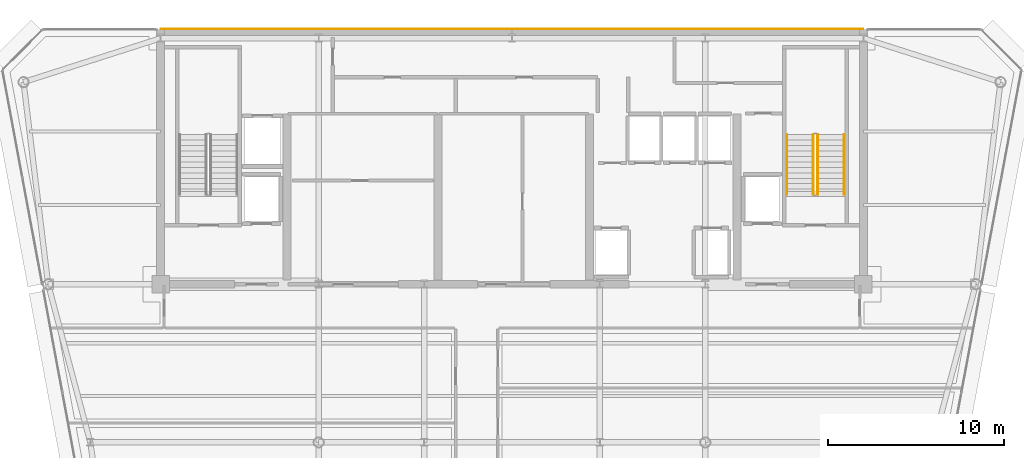
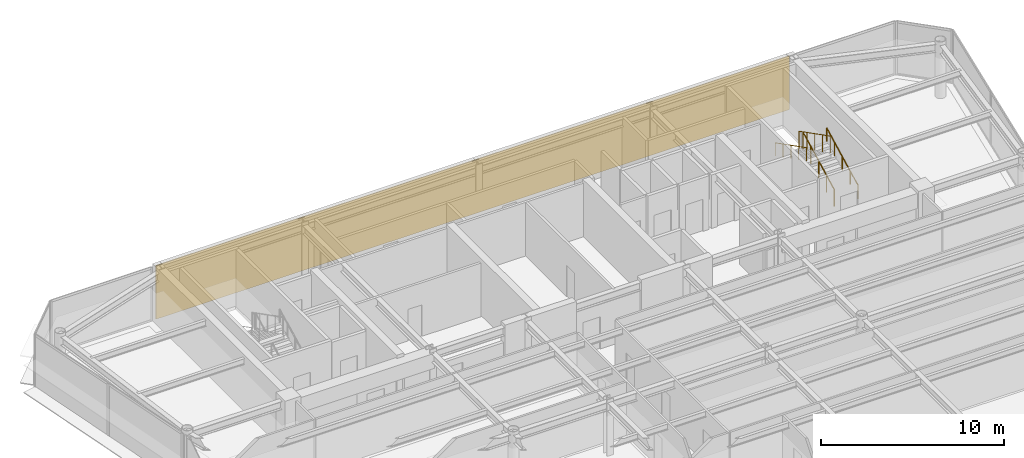
# One storey, part 17 of 18: 4 railings, 1 covering.
"""IFC4 building model written with IfcOpenShell, lengths in metres."""

import ifcopenshell
import ifcopenshell.guid

model = None  # the IFC model being written
_history = None  # IfcOwnerHistory: only IFC2X3 demands one
_inside = {}  # id of a spatial element -> (the spatial element, [elements in it])
_under = {}  # id of a project, library or spatial element -> (it, [spatial elements below it])
_declared = {}  # id of a project -> (the project, [libraries it declares])
_typed = {}  # id of a type object -> (the type object, [elements of that type])
_made_of = {}  # id of a material, layer set ... -> (it, [elements and type objects made of it])


def new_model(schema):
    """Start an empty IFC model of exactly this schema.

    Asked for "IFC4X3", IfcOpenShell would pick the latest addendum, in which some entities
    have other attributes; the version numbers below select the first issue.
    IFC2X3 requires an IfcOwnerHistory on every rooted entity: one is made here for all.
    """
    global model, _history
    if schema == "IFC4X3":
        model = ifcopenshell.file(schema_version=(4, 3, 0, 0))
    else:
        model = ifcopenshell.file(schema=schema)
    _inside.clear()
    _under.clear()
    _declared.clear()
    _typed.clear()
    _made_of.clear()
    _history = None
    if model.schema == "IFC2X3":
        org = make("IfcOrganization", Name="unknown")
        user = make(
            "IfcPersonAndOrganization",
            ThePerson=make("IfcPerson", FamilyName="unknown"),
            TheOrganization=org,
        )
        app = make(
            "IfcApplication",
            ApplicationDeveloper=org,
            Version="unknown",
            ApplicationFullName="unknown",
            ApplicationIdentifier="unknown",
        )
        _history = make(
            "IfcOwnerHistory",
            OwningUser=user,
            OwningApplication=app,
            ChangeAction="ADDED",
            CreationDate=0,
        )
    return model


def make(cls, **values):
    """One entity of the class cls with the attributes given. An attribute that is None is left unset."""
    return model.create_entity(
        cls, **{name: value for name, value in values.items() if value is not None}
    )


def rooted(cls, **values):
    """An entity with a GlobalId (a new one), such as an element, a storey or a relation."""
    return make(cls, GlobalId=ifcopenshell.guid.new(), OwnerHistory=_history, **values)


def si_unit(unit_type, name, prefix=None):
    """IfcSIUnit, for example si_unit("LENGTHUNIT", "METRE", prefix="MILLI")."""
    return make("IfcSIUnit", UnitType=unit_type, Prefix=prefix, Name=name)


def assignment(units):
    """IfcUnitAssignment: the units of a project."""
    return None if units is None else make("IfcUnitAssignment", Units=units)


def point(xyz):
    """IfcCartesianPoint."""
    return None if xyz is None else make("IfcCartesianPoint", Coordinates=xyz)


def direction(xyz):
    """IfcDirection."""
    return None if xyz is None else make("IfcDirection", DirectionRatios=xyz)


def frame(location, z_axis=None, x_axis=None):
    """IfcAxis2Placement3D, a coordinate frame: its origin and axes. An axis left out is left unset."""
    return make(
        "IfcAxis2Placement3D",
        Location=point(location),
        Axis=direction(z_axis),
        RefDirection=direction(x_axis),
    )


def frame_2d(location, x_axis=None):
    """IfcAxis2Placement2D, a coordinate frame in the plane: its origin and x axis."""
    return make(
        "IfcAxis2Placement2D", Location=point(location), RefDirection=direction(x_axis)
    )


def origin():
    """The frame at (0, 0, 0) with its axes left unset."""
    return frame((0.0, 0.0, 0.0))


def origin_2d():
    """The frame at (0, 0) in the plane with its x axis left unset."""
    return frame_2d((0.0, 0.0))


def place(relative_to, where):
    """IfcLocalPlacement: puts the frame where relative to a parent placement (None: the world)."""
    return make(
        "IfcLocalPlacement", PlacementRelTo=relative_to, RelativePlacement=where
    )


def context(
    kind, dimensions, precision=None, world=None, true_north=None, identifier=None
):
    """IfcGeometricRepresentationContext, for example the 3D "Model" context."""
    return make(
        "IfcGeometricRepresentationContext",
        ContextIdentifier=identifier,
        ContextType=kind,
        CoordinateSpaceDimension=dimensions,
        Precision=precision,
        WorldCoordinateSystem=world,
        TrueNorth=true_north,
    )


def subcontext(parent, identifier, kind, view, scale=None):
    """IfcGeometricRepresentationSubContext, for example "Body" below "Model"."""
    return make(
        "IfcGeometricRepresentationSubContext",
        ContextIdentifier=identifier,
        ContextType=kind,
        ParentContext=parent,
        TargetScale=scale,
        TargetView=view,
    )


def project(units=None, contexts=None):
    """IfcProject with its units and contexts."""
    return rooted(
        "IfcProject",
        Name="project",
        RepresentationContexts=contexts,
        UnitsInContext=assignment(units),
    )


def spatial(cls, under=None, at=None, **own):
    """A site, building, storey or space (cls), placed at a placement, below another one or the project."""
    s = rooted(cls, ObjectPlacement=at, **own)
    if under is not None:
        _under.setdefault(under.id(), (under, []))[1].append(s)
    return s


def polyline(points):
    """IfcPolyline through the points."""
    return make("IfcPolyline", Points=[point(p) for p in points])


def profile(cls, at=None, kind="AREA", **sizes):
    """A parametric profile (cls). Its sizes go by their IFC names, for example OverallWidth=200.0."""
    return make(cls, ProfileType=kind, Position=at, **sizes)


def circle(**sizes):
    """IfcCircleProfileDef."""
    return profile("IfcCircleProfileDef", **sizes)


def outline(outer, holes=None, kind="AREA"):
    """IfcArbitraryClosedProfileDef: a profile drawn as a closed curve; with holes, ...WithVoids."""
    if holes is None:
        return make("IfcArbitraryClosedProfileDef", ProfileType=kind, OuterCurve=outer)
    return make(
        "IfcArbitraryProfileDefWithVoids",
        ProfileType=kind,
        OuterCurve=outer,
        InnerCurves=holes,
    )


def extrude(swept, where, along, depth):
    """IfcExtrudedAreaSolid: the profile swept, set in the frame where, extruded along a direction by depth."""
    return make(
        "IfcExtrudedAreaSolid",
        SweptArea=swept,
        Position=where,
        ExtrudedDirection=direction(along),
        Depth=depth,
    )


def shape(context_of_items, identifier, shape_type, items):
    """IfcShapeRepresentation: the items that make up one representation, for example the "Body"."""
    return make(
        "IfcShapeRepresentation",
        ContextOfItems=context_of_items,
        RepresentationIdentifier=identifier,
        RepresentationType=shape_type,
        Items=items,
    )


def material(Name=None, Category=None):
    """IfcMaterial."""
    return make("IfcMaterial", Name=Name, Category=Category)


def layer(
    of_material, thickness, ventilated=None, Name=None, Category=None, Priority=None
):
    """IfcMaterialLayer: one layer of a wall or slab, of a material (None: an air gap)."""
    return make(
        "IfcMaterialLayer",
        Material=of_material,
        LayerThickness=thickness,
        IsVentilated=ventilated,
        Name=Name,
        Category=Category,
        Priority=Priority,
    )


def layer_set(layers, Name=None):
    """IfcMaterialLayerSet."""
    return make("IfcMaterialLayerSet", MaterialLayers=layers, LayerSetName=Name)


def made_of(thing, what):
    """Note that an element or type object is made of a material, layer set ...; save() writes the relation."""
    if what is not None:
        _made_of.setdefault(what.id(), (what, []))[1].append(thing)
    return thing


def type_object(cls, material=None, **own):
    """A type object (cls), such as IfcWallType, which elements share."""
    return made_of(rooted(cls, **own), material)


def element(
    cls,
    number,
    at=None,
    inside=None,
    cuts=None,
    type_object=None,
    material=None,
    context=None,
    identifier="Body",
    shape_type=None,
    held_by="IfcProductDefinitionShape",
    body=None,
    shapes=None,
    **own,
):
    """One element of the class cls, such as IfcWall. Its Tag is "e" and its number.

    at: its placement. inside: the storey or other place that contains it. cuts: it is an
    opening in that element (IfcRelVoidsElement). A single representation is given by context,
    identifier, shape_type and body (its items); several are given by shapes. held_by: the class
    of the entity that holds the representations. save() writes the other relations.
    """
    e = rooted(cls, Tag="e%d" % number, ObjectPlacement=at, **own)
    if body is not None:
        shapes = [shape(context, identifier, shape_type, body)]
    if shapes is not None:
        e.Representation = make(held_by, Representations=shapes)
    if inside is not None:
        _inside.setdefault(inside.id(), (inside, []))[1].append(e)
    if cuts is not None:
        rooted(
            "IfcRelVoidsElement", RelatingBuildingElement=cuts, RelatedOpeningElement=e
        )
    if type_object is not None:
        _typed.setdefault(type_object.id(), (type_object, []))[1].append(e)
    return made_of(e, material)


def aggregate(whole, parts):
    """IfcRelAggregates: a whole, such as a stair, and the parts it consists of."""
    return rooted("IfcRelAggregates", RelatingObject=whole, RelatedObjects=parts)


def save(model, path):
    """Write the relations noted so far, then the file.

    IfcRelAggregates (storeys below a building ...), IfcRelContainedInSpatialStructure (elements
    in a storey), IfcRelDefinesByType, IfcRelAssociatesMaterial and IfcRelDeclares: one each for
    every whole, place, type object, material and project.
    """
    for whole, parts in _under.values():
        aggregate(whole, parts)
    for where, things in _inside.values():
        rooted(
            "IfcRelContainedInSpatialStructure",
            RelatedElements=things,
            RelatingStructure=where,
        )
    for kind, things in _typed.values():
        rooted("IfcRelDefinesByType", RelatedObjects=things, RelatingType=kind)
    for what, things in _made_of.values():
        rooted("IfcRelAssociatesMaterial", RelatedObjects=things, RelatingMaterial=what)
    for by, libraries in _declared.values():
        rooted("IfcRelDeclares", RelatingContext=by, RelatedDefinitions=libraries)
    model.write(path)


model = new_model("IFC4")

# Units and contexts
model_context = context("Model", 3, precision=1e-05, world=origin(), true_north=direction((0.0, 1.0)))
body_context = subcontext(model_context, "Body", "Model", "MODEL_VIEW")
ifc_project = project(units=[si_unit("LENGTHUNIT", "METRE"), si_unit("AREAUNIT", "SQUARE_METRE"), si_unit("VOLUMEUNIT", "CUBIC_METRE"), si_unit("PLANEANGLEUNIT", "RADIAN"), si_unit("MASSUNIT", "GRAM", prefix="KILO")], contexts=[model_context])

# Site, building, storey
site_placement = place(None, origin())
site = spatial("IfcSite", under=ifc_project, at=site_placement, CompositionType="ELEMENT")
building_placement = place(site_placement, origin())
building = spatial("IfcBuilding", under=site, at=building_placement, Name="Vaeldorn Concourse Tower", CompositionType="ELEMENT")
storey_placement = place(building_placement, frame((0.0, 0.0, 261.199951171875)))
storey = spatial("IfcBuildingStorey", under=building, at=storey_placement, Name="L67", CompositionType="ELEMENT", Elevation=261.199951171875)

# Covering
ifc_material = material(Name="Anodised Bronze Aluminium", Category="aluminium")
ifc_layer = layer(ifc_material, 0.050048828125)
ifc_layer_set = layer_set([ifc_layer], Name="Anodised Bronze Aluminium")
covering_type = type_object("IfcCoveringType", Name="COV-CLAD-BRONZE", PredefinedType="CLADDING", material=ifc_layer_set)
covering_placement = place(storey_placement, origin())
element("IfcCovering", 1, at=covering_placement, inside=storey, type_object=covering_type, Name="Rear Core Bronze Spandrel Cladding L67", PredefinedType="CLADDING", context=body_context, shape_type="SweptSolid", body=[
    extrude(outline(polyline([(14.0, 51.0), (54.0, 51.0), (54.0, 51.050048828125), (14.0, 51.050048828125), (14.0, 51.0)])), origin(), (0.0, 0.0, 1.0), 3.580078125),
])

# Railings
railing_type_1 = type_object("IfcRailingType", Name="RL-STAIR-GUARD", PredefinedType="GUARDRAIL", material=ifc_material)
railing_1_placement = place(storey_placement, frame((51.39990234375, 41.60009765625, 0.158447265625)))
element("IfcRailing", 2, at=railing_1_placement, inside=storey, type_object=railing_type_1, Name="L67 ST-2 stair guard 1", PredefinedType="GUARDRAIL", context=body_context, shape_type="SweptSolid", body=[
    extrude(circle(Radius=0.02392578125, at=origin_2d()), frame((0.0, 0.0, 1.1259765625), z_axis=(0.0, 0.890555807335, 0.454873997962), x_axis=(-1.0, 0.0, 0.0)), (0.0, 0.0, 1.0), 3.828857421875),
    extrude(circle(Radius=0.02099609375, at=origin_2d()), origin(), (0.0, 0.0, 1.0), 1.101806640625),
    extrude(circle(Radius=0.02099609375, at=origin_2d()), frame((0.0, 0.8525390625, 0.435546875)), (0.0, 0.0, 1.0), 1.101806640625),
    extrude(circle(Radius=0.02099609375, at=origin_2d()), frame((0.0, 1.705078125, 0.870849609375)), (0.0, 0.0, 1.0), 1.101806640625),
    extrude(circle(Radius=0.02099609375, at=origin_2d()), frame((0.0, 2.557373046875, 1.30615234375)), (0.0, 0.0, 1.0), 1.101806640625),
    extrude(circle(Radius=0.02099609375, at=origin_2d()), frame((0.0, 3.409912109375, 1.74169921875)), (0.0, 0.0, 1.0), 1.101806640625),
])
railing_2_placement = place(storey_placement, frame((51.14990234375, 45.010009765625, 2.058349609375)))
element("IfcRailing", 3, at=railing_2_placement, inside=storey, type_object=railing_type_1, Name="L67 ST-2 stair guard 3", PredefinedType="GUARDRAIL", context=body_context, shape_type="SweptSolid", body=[
    extrude(circle(Radius=0.02392578125, at=origin_2d()), frame((0.0, 0.0, 1.1259765625), z_axis=(0.0, -0.890555807335, 0.454873997962), x_axis=(1.0, 0.0, 0.0)), (0.0, 0.0, 1.0), 3.828857421875),
    extrude(circle(Radius=0.02099609375, at=origin_2d()), origin(), (0.0, 0.0, 1.0), 1.101806640625),
    extrude(circle(Radius=0.02099609375, at=origin_2d()), frame((0.0, -0.8525390625, 0.435546875)), (0.0, 0.0, 1.0), 1.101806640625),
    extrude(circle(Radius=0.02099609375, at=origin_2d()), frame((0.0, -1.705078125, 0.870849609375)), (0.0, 0.0, 1.0), 1.101806640625),
    extrude(circle(Radius=0.02099609375, at=origin_2d()), frame((0.0, -2.557373046875, 1.30615234375)), (0.0, 0.0, 1.0), 1.101806640625),
    extrude(circle(Radius=0.02099609375, at=origin_2d()), frame((0.0, -3.409912109375, 1.74169921875)), (0.0, 0.0, 1.0), 1.101806640625),
])
railing_type_2 = type_object("IfcRailingType", Name="RL-STAIR-HANDRAIL", PredefinedType="HANDRAIL", material=ifc_material)
railing_3_placement = place(storey_placement, frame((52.89990234375, 41.60009765625, 0.158447265625)))
element("IfcRailing", 4, at=railing_3_placement, inside=storey, type_object=railing_type_2, Name="L67 ST-2 stair handrail 1", PredefinedType="HANDRAIL", context=body_context, shape_type="SweptSolid", body=[
    extrude(circle(Radius=0.02392578125, at=origin_2d()), frame((0.0, 0.0, 0.8759765625), z_axis=(0.0, 0.890555807335, 0.454873997962), x_axis=(-1.0, 0.0, 0.0)), (0.0, 0.0, 1.0), 3.828857421875),
    extrude(circle(Radius=0.02099609375, at=origin_2d()), origin(), (0.0, 0.0, 1.0), 0.851806640625),
    extrude(circle(Radius=0.02099609375, at=origin_2d()), frame((0.0, 0.8525390625, 0.435546875)), (0.0, 0.0, 1.0), 0.851806640625),
    extrude(circle(Radius=0.02099609375, at=origin_2d()), frame((0.0, 1.705078125, 0.870849609375)), (0.0, 0.0, 1.0), 0.851806640625),
    extrude(circle(Radius=0.02099609375, at=origin_2d()), frame((0.0, 2.557373046875, 1.30615234375)), (0.0, 0.0, 1.0), 0.851806640625),
    extrude(circle(Radius=0.02099609375, at=origin_2d()), frame((0.0, 3.409912109375, 1.74169921875)), (0.0, 0.0, 1.0), 0.851806640625),
])
railing_4_placement = place(storey_placement, frame((49.64990234375, 45.010009765625, 2.058349609375)))
element("IfcRailing", 5, at=railing_4_placement, inside=storey, type_object=railing_type_2, Name="L67 ST-2 stair handrail 2", PredefinedType="HANDRAIL", context=body_context, shape_type="SweptSolid", body=[
    extrude(circle(Radius=0.02392578125, at=origin_2d()), frame((0.0, 0.0, 0.8759765625), z_axis=(0.0, -0.890555807335, 0.454873997962), x_axis=(1.0, 0.0, 0.0)), (0.0, 0.0, 1.0), 3.828857421875),
    extrude(circle(Radius=0.02099609375, at=origin_2d()), origin(), (0.0, 0.0, 1.0), 0.851806640625),
    extrude(circle(Radius=0.02099609375, at=origin_2d()), frame((0.0, -0.8525390625, 0.435546875)), (0.0, 0.0, 1.0), 0.851806640625),
    extrude(circle(Radius=0.02099609375, at=origin_2d()), frame((0.0, -1.705078125, 0.870849609375)), (0.0, 0.0, 1.0), 0.851806640625),
    extrude(circle(Radius=0.02099609375, at=origin_2d()), frame((0.0, -2.557373046875, 1.30615234375)), (0.0, 0.0, 1.0), 0.851806640625),
    extrude(circle(Radius=0.02099609375, at=origin_2d()), frame((0.0, -3.409912109375, 1.74169921875)), (0.0, 0.0, 1.0), 0.851806640625),
])

save(model, "model.ifc")
